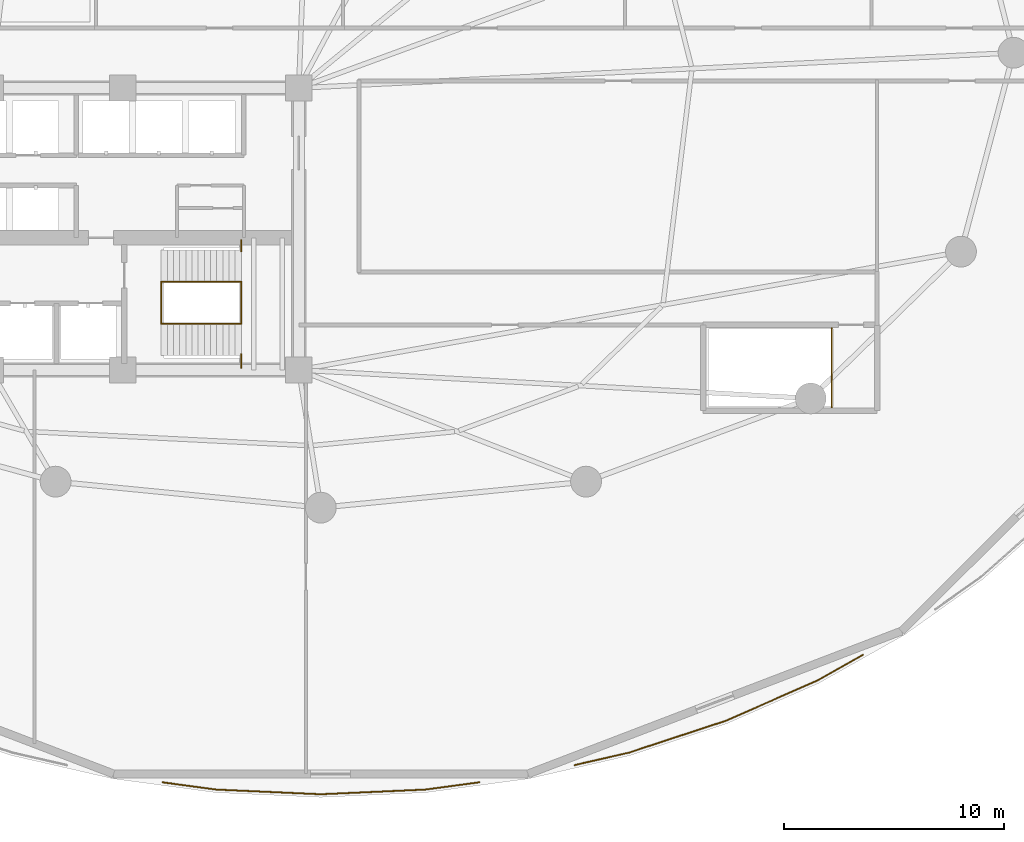
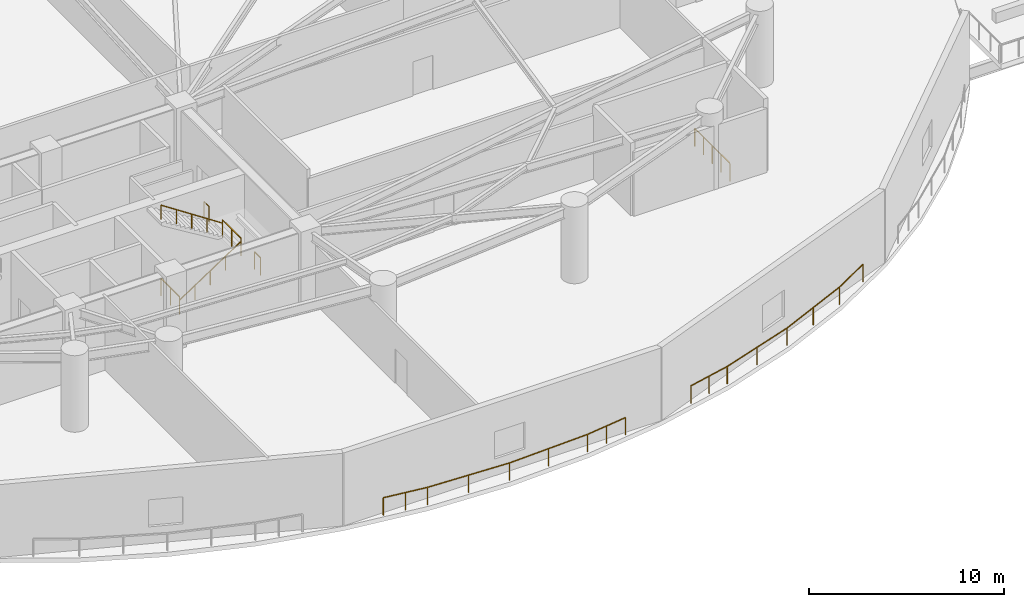
# One storey, part 24 of 26: 9 railings.
"""IFC4 building model written with IfcOpenShell, lengths in metres."""

from ifc_helpers import new_model, si_unit, direction, frame, origin, origin_2d, place, context, subcontext, project, spatial, rectangle, extrude, material, type_object, element, save


model = new_model("IFC4")

# Units and contexts
model_context = context("Model", 3, precision=1e-05, world=origin(), true_north=direction((0.0, 1.0)))
body_context = subcontext(model_context, "Body", "Model", "MODEL_VIEW")
ifc_project = project(units=[si_unit("LENGTHUNIT", "METRE"), si_unit("AREAUNIT", "SQUARE_METRE"), si_unit("VOLUMEUNIT", "CUBIC_METRE"), si_unit("PLANEANGLEUNIT", "RADIAN"), si_unit("MASSUNIT", "GRAM", prefix="KILO")], contexts=[model_context])

# Site, building, storey
site_placement = place(None, origin())
site = spatial("IfcSite", under=ifc_project, at=site_placement, CompositionType="ELEMENT")
building_placement = place(site_placement, origin())
building = spatial("IfcBuilding", under=site, at=building_placement, Name="Kazevale Care Tower and Concert Hall", CompositionType="ELEMENT")
storey_placement = place(building_placement, frame((0.0, 0.0, 19.199951171875)))
storey = spatial("IfcBuildingStorey", under=building, at=storey_placement, Name="L04", CompositionType="ELEMENT", Elevation=19.199951171875)

# Railings
ifc_material_1 = material(Name="Anodised Bronze Aluminium and Laminated Glass", Category="aluminium")
railing_type_1 = type_object("IfcRailingType", Name="Balcony and Terrace Balustrade 1120", PredefinedType="BALUSTRADE", material=ifc_material_1)
railing_1_placement = place(storey_placement, frame((52.18798828125, 4.882080078125, 0.0)))
element("IfcRailing", 1, at=railing_1_placement, inside=storey, type_object=railing_type_1, Name="rail:L04:perim:8", PredefinedType="BALUSTRADE", context=body_context, shape_type="SweptSolid", body=[
    extrude(rectangle(XDim=0.048095703125, YDim=0.048095703125, at=origin_2d()), frame((0.0, 0.0, 1.09619140625), z_axis=(-0.990987454457, -0.1339547129, 0.0), x_axis=(0.1339547129, -0.990987454457, 0.0)), (0.0, 0.0, 1.0), 2.464111328125),
    extrude(rectangle(XDim=0.048095703125, YDim=0.048095703125, at=origin_2d()), frame((-2.44189453125, -0.330078125, 1.09619140625), z_axis=(-0.999004667567, -0.044605763963, 0.0), x_axis=(0.044605763963, -0.999004667567, 0.0)), (0.0, 0.0, 1.0), 4.750732421875),
    extrude(rectangle(XDim=0.048095703125, YDim=0.048095703125, at=origin_2d()), frame((-7.18798828125, -0.5419921875, 1.09619140625), z_axis=(-0.999004667567, 0.044605763963, 0.0), x_axis=(-0.044605763963, -0.999004667567, 0.0)), (0.0, 0.0, 1.0), 4.750732421875),
    extrude(rectangle(XDim=0.048095703125, YDim=0.048095703125, at=origin_2d()), frame((-11.93408203125, -0.330078125, 1.09619140625), z_axis=(-0.990987454457, 0.1339547129, 0.0), x_axis=(-0.1339547129, -0.990987454457, 0.0)), (0.0, 0.0, 1.0), 2.464111328125),
    extrude(rectangle(XDim=0.0419921875, YDim=0.0419921875, at=origin_2d()), origin(), (0.0, 0.0, 1.0), 1.072021484375),
    extrude(rectangle(XDim=0.0419921875, YDim=0.0419921875, at=origin_2d()), frame((-1.220947265625, -0.1650390625, 0.0)), (0.0, 0.0, 1.0), 1.072021484375),
    extrude(rectangle(XDim=0.0419921875, YDim=0.0419921875, at=origin_2d()), frame((-2.44189453125, -0.330078125, 0.0)), (0.0, 0.0, 1.0), 1.072021484375),
    extrude(rectangle(XDim=0.0419921875, YDim=0.0419921875, at=origin_2d()), frame((-4.81494140625, -0.43603515625, 0.0)), (0.0, 0.0, 1.0), 1.072021484375),
    extrude(rectangle(XDim=0.0419921875, YDim=0.0419921875, at=origin_2d()), frame((-7.18798828125, -0.5419921875, 0.0)), (0.0, 0.0, 1.0), 1.072021484375),
    extrude(rectangle(XDim=0.0419921875, YDim=0.0419921875, at=origin_2d()), frame((-9.56103515625, -0.43603515625, 0.0)), (0.0, 0.0, 1.0), 1.072021484375),
    extrude(rectangle(XDim=0.0419921875, YDim=0.0419921875, at=origin_2d()), frame((-11.93408203125, -0.330078125, 0.0)), (0.0, 0.0, 1.0), 1.072021484375),
    extrude(rectangle(XDim=0.0419921875, YDim=0.0419921875, at=origin_2d()), frame((-13.155029296875, -0.1650390625, 0.0)), (0.0, 0.0, 1.0), 1.072021484375),
    extrude(rectangle(XDim=0.0419921875, YDim=0.0419921875, at=origin_2d()), frame((-14.3759765625, 0.0, 0.0)), (0.0, 0.0, 1.0), 1.072021484375),
])
railing_2_placement = place(storey_placement, frame((69.611083984375, 10.669921875, 0.0)))
element("IfcRailing", 2, at=railing_2_placement, inside=storey, type_object=railing_type_1, Name="rail:L04:perim:9", PredefinedType="BALUSTRADE", context=body_context, shape_type="SweptSolid", body=[
    extrude(rectangle(XDim=0.048095703125, YDim=0.048095703125, at=origin_2d()), frame((0.0, 0.0, 1.09619140625), z_axis=(-0.870864175029, -0.491523741696, 0.0), x_axis=(0.491523741696, -0.870864175029, 0.0)), (0.0, 0.0, 1.0), 2.36767578125),
    extrude(rectangle(XDim=0.048095703125, YDim=0.048095703125, at=origin_2d()), frame((-2.06201171875, -1.163818359375, 1.09619140625), z_axis=(-0.915470269762, -0.402385617514, 0.0), x_axis=(0.402385617514, -0.915470269762, 0.0)), (0.0, 0.0, 1.0), 4.543212890625),
    extrude(rectangle(XDim=0.048095703125, YDim=0.048095703125, at=origin_2d()), frame((-6.22119140625, -2.991943359375, 1.09619140625), z_axis=(-0.949817857606, -0.312803512405, 0.0), x_axis=(0.312803512405, -0.949817857606, 0.0)), (0.0, 0.0, 1.0), 4.622802734375),
    extrude(rectangle(XDim=0.048095703125, YDim=0.048095703125, at=origin_2d()), frame((-10.612060546875, -4.43798828125, 1.09619140625), z_axis=(-0.974740171393, -0.223341886518, 0.0), x_axis=(0.223341886518, -0.974740171393, 0.0)), (0.0, 0.0, 1.0), 2.538330078125),
    extrude(rectangle(XDim=0.0419921875, YDim=0.0419921875, at=origin_2d()), origin(), (0.0, 0.0, 1.0), 1.072021484375),
    extrude(rectangle(XDim=0.0419921875, YDim=0.0419921875, at=origin_2d()), frame((-2.06201171875, -1.163818359375, 0.0)), (0.0, 0.0, 1.0), 1.072021484375),
    extrude(rectangle(XDim=0.0419921875, YDim=0.0419921875, at=origin_2d()), frame((-4.1416015625, -2.077880859375, 0.0)), (0.0, 0.0, 1.0), 1.072021484375),
    extrude(rectangle(XDim=0.0419921875, YDim=0.0419921875, at=origin_2d()), frame((-6.22119140625, -2.991943359375, 0.0)), (0.0, 0.0, 1.0), 1.072021484375),
    extrude(rectangle(XDim=0.0419921875, YDim=0.0419921875, at=origin_2d()), frame((-8.41650390625, -3.71484375, 0.0)), (0.0, 0.0, 1.0), 1.072021484375),
    extrude(rectangle(XDim=0.0419921875, YDim=0.0419921875, at=origin_2d()), frame((-10.612060546875, -4.43798828125, 0.0)), (0.0, 0.0, 1.0), 1.072021484375),
    extrude(rectangle(XDim=0.0419921875, YDim=0.0419921875, at=origin_2d()), frame((-11.84912109375, -4.721435546875, 0.0)), (0.0, 0.0, 1.0), 1.072021484375),
    extrude(rectangle(XDim=0.0419921875, YDim=0.0419921875, at=origin_2d()), frame((-13.086181640625, -5.0048828125, 0.0)), (0.0, 0.0, 1.0), 1.072021484375),
])
ifc_material_2 = material(Name="Stainless Steel 316", Category="steel")
railing_type_2 = type_object("IfcRailingType", Name="Stair Pitch Handrail 920", PredefinedType="HANDRAIL", material=ifc_material_2)
railing_3_placement = place(storey_placement, frame((37.75, 25.699951171875, 0.0)))
element("IfcRailing", 3, at=railing_3_placement, inside=storey, type_object=railing_type_2, Name="stair:L04:ST2:hr1", PredefinedType="HANDRAIL", context=body_context, shape_type="SweptSolid", body=[
    extrude(rectangle(XDim=0.048095703125, YDim=0.048095703125, at=origin_2d()), frame((0.0, 0.0, 0.89599609375), z_axis=(0.834839479206, 0.0, 0.550493454965), x_axis=(0.0, 1.0, 0.0)), (0.0, 0.0, 1.0), 4.360107421875),
    extrude(rectangle(XDim=0.0419921875, YDim=0.0419921875, at=origin_2d()), origin(), (0.0, 0.0, 1.0), 0.871826171875),
    extrude(rectangle(XDim=0.0419921875, YDim=0.0419921875, at=origin_2d()), frame((0.909912109375, 0.0, 0.60009765625)), (0.0, 0.0, 1.0), 0.871826171875),
    extrude(rectangle(XDim=0.0419921875, YDim=0.0419921875, at=origin_2d()), frame((1.81982421875, 0.0, 1.2001953125)), (0.0, 0.0, 1.0), 0.871826171875),
    extrude(rectangle(XDim=0.0419921875, YDim=0.0419921875, at=origin_2d()), frame((2.72998046875, 0.0, 1.800048828125)), (0.0, 0.0, 1.0), 0.871826171875),
    extrude(rectangle(XDim=0.0419921875, YDim=0.0419921875, at=origin_2d()), frame((3.639892578125, 0.0, 2.400146484375)), (0.0, 0.0, 1.0), 0.871826171875),
])
railing_4_placement = place(storey_placement, frame((41.389892578125, 27.60009765625, 2.400146484375)))
element("IfcRailing", 4, at=railing_4_placement, inside=storey, type_object=railing_type_2, Name="stair:L04:ST2:hr2", PredefinedType="HANDRAIL", context=body_context, shape_type="SweptSolid", body=[
    extrude(rectangle(XDim=0.048095703125, YDim=0.048095703125, at=origin_2d()), frame((0.0, 0.0, 0.89599609375), z_axis=(-0.834865213223, 0.0, 0.550454426587), x_axis=(0.0, -1.0, 0.0)), (0.0, 0.0, 1.0), 4.35986328125),
    extrude(rectangle(XDim=0.0419921875, YDim=0.0419921875, at=origin_2d()), origin(), (0.0, 0.0, 1.0), 0.871826171875),
    extrude(rectangle(XDim=0.0419921875, YDim=0.0419921875, at=origin_2d()), frame((-0.909912109375, 0.0, 0.60009765625)), (0.0, 0.0, 1.0), 0.871826171875),
    extrude(rectangle(XDim=0.0419921875, YDim=0.0419921875, at=origin_2d()), frame((-1.81982421875, 0.0, 1.199951171875)), (0.0, 0.0, 1.0), 0.871826171875),
    extrude(rectangle(XDim=0.0419921875, YDim=0.0419921875, at=origin_2d()), frame((-2.72998046875, 0.0, 1.7998046875)), (0.0, 0.0, 1.0), 0.871826171875),
    extrude(rectangle(XDim=0.0419921875, YDim=0.0419921875, at=origin_2d()), frame((-3.639892578125, 0.0, 2.39990234375)), (0.0, 0.0, 1.0), 0.871826171875),
])
railing_type_3 = type_object("IfcRailingType", Name="Stair Well Guard Balustrade 1120", PredefinedType="BALUSTRADE", material=ifc_material_2)
railing_5_placement = place(storey_placement, frame((41.389892578125, 23.699951171875, 2.400146484375)))
element("IfcRailing", 5, at=railing_5_placement, inside=storey, type_object=railing_type_3, Name="stair:L04:ST2:grd_side1", PredefinedType="BALUSTRADE", context=body_context, shape_type="SweptSolid", body=[
    extrude(rectangle(XDim=0.048095703125, YDim=0.048095703125, at=origin_2d()), frame((0.0, 0.0, 1.09619140625), z_axis=(0.0, 1.0, 0.0), x_axis=(-1.0, 0.0, 0.0)), (0.0, 0.0, 1.0), 0.610107421875),
    extrude(rectangle(XDim=0.0419921875, YDim=0.0419921875, at=origin_2d()), origin(), (0.0, 0.0, 1.0), 1.072021484375),
    extrude(rectangle(XDim=0.0419921875, YDim=0.0419921875, at=origin_2d()), frame((0.0, 0.610107421875, 0.0)), (0.0, 0.0, 1.0), 1.072021484375),
])
railing_6_placement = place(storey_placement, frame((41.389892578125, 28.989990234375, 2.400146484375)))
element("IfcRailing", 6, at=railing_6_placement, inside=storey, type_object=railing_type_3, Name="stair:L04:ST2:grd_side2", PredefinedType="BALUSTRADE", context=body_context, shape_type="SweptSolid", body=[
    extrude(rectangle(XDim=0.048095703125, YDim=0.048095703125, at=origin_2d()), frame((0.0, 0.0, 1.09619140625), z_axis=(0.0, 1.0, 0.0), x_axis=(-1.0, 0.0, 0.0)), (0.0, 0.0, 1.0), 0.510009765625),
    extrude(rectangle(XDim=0.0419921875, YDim=0.0419921875, at=origin_2d()), origin(), (0.0, 0.0, 1.0), 1.072021484375),
    extrude(rectangle(XDim=0.0419921875, YDim=0.0419921875, at=origin_2d()), frame((0.0, 0.510009765625, 0.0)), (0.0, 0.0, 1.0), 1.072021484375),
])
for number, where, name in (
    (7, (41.389892578125, 25.699951171875, 2.400146484375), "stair:L04:ST2:grd_mid"),
    (8, (37.75, 25.699951171875, 0.0), "stair:L04:ST2:grd_flr"),
):
    element("IfcRailing", number, at=place(storey_placement, frame(where)), inside=storey, type_object=railing_type_3, Name=name, PredefinedType="BALUSTRADE", context=body_context, shape_type="SweptSolid", body=[
        extrude(rectangle(XDim=0.048095703125, YDim=0.048095703125, at=origin_2d()), frame((0.0, 0.0, 1.09619140625), z_axis=(0.0, 1.0, 0.0), x_axis=(-1.0, 0.0, 0.0)), (0.0, 0.0, 1.0), 1.900146484375),
        extrude(rectangle(XDim=0.0419921875, YDim=0.0419921875, at=origin_2d()), origin(), (0.0, 0.0, 1.0), 1.072021484375),
        extrude(rectangle(XDim=0.0419921875, YDim=0.0419921875, at=origin_2d()), frame((0.0, 0.9501953125, 0.0)), (0.0, 0.0, 1.0), 1.072021484375),
        extrude(rectangle(XDim=0.0419921875, YDim=0.0419921875, at=origin_2d()), frame((0.0, 1.900146484375, 0.0)), (0.0, 0.0, 1.0), 1.072021484375),
    ])
railing_7_placement = place(storey_placement, frame((68.199951171875, 21.89990234375, 0.0)))
element("IfcRailing", 9, at=railing_7_placement, inside=storey, type_object=railing_type_3, Name="rail:L04:ST3:topwell", PredefinedType="BALUSTRADE", context=body_context, shape_type="SweptSolid", body=[
    extrude(rectangle(XDim=0.048095703125, YDim=0.048095703125, at=origin_2d()), frame((0.0, 0.0, 1.1259765625), z_axis=(0.0, 1.0, 0.0), x_axis=(-1.0, 0.0, 0.0)), (0.0, 0.0, 1.0), 3.60009765625),
    extrude(rectangle(XDim=0.0419921875, YDim=0.0419921875, at=origin_2d()), origin(), (0.0, 0.0, 1.0), 1.101806640625),
    extrude(rectangle(XDim=0.0419921875, YDim=0.0419921875, at=origin_2d()), frame((0.0, 0.89990234375, 0.0)), (0.0, 0.0, 1.0), 1.101806640625),
    extrude(rectangle(XDim=0.0419921875, YDim=0.0419921875, at=origin_2d()), frame((0.0, 1.800048828125, 0.0)), (0.0, 0.0, 1.0), 1.101806640625),
    extrude(rectangle(XDim=0.0419921875, YDim=0.0419921875, at=origin_2d()), frame((0.0, 2.7001953125, 0.0)), (0.0, 0.0, 1.0), 1.101806640625),
    extrude(rectangle(XDim=0.0419921875, YDim=0.0419921875, at=origin_2d()), frame((0.0, 3.60009765625, 0.0)), (0.0, 0.0, 1.0), 1.101806640625),
])

save(model, "model.ifc")
